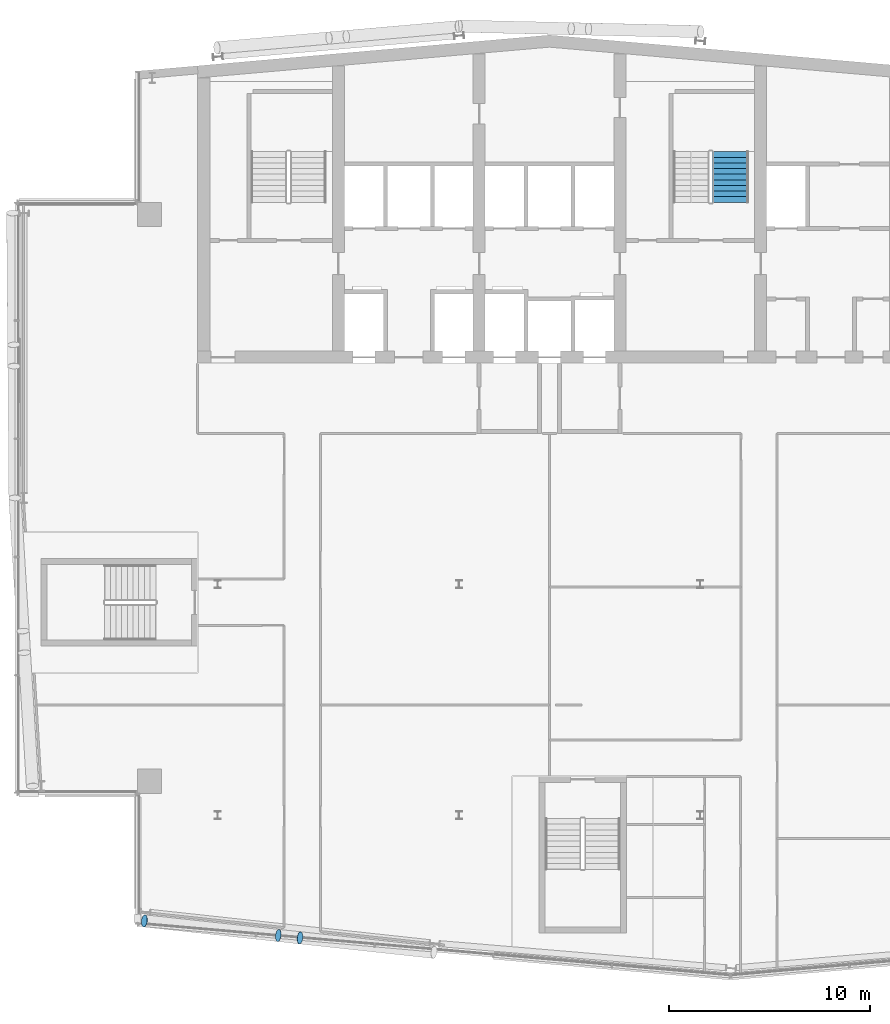
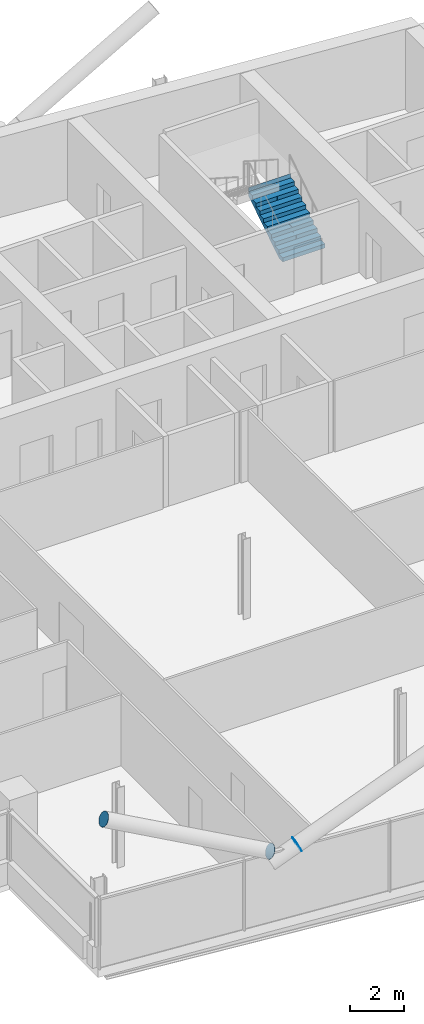
# One storey, part 21 of 28: 3 discrete accessories, 1 stair flight, 1 element without a shape of its own.
"""IFC4 building model written with IfcOpenShell, lengths in metres."""

from ifc_helpers import new_model, si_unit, direction, frame, origin, origin_2d, place, context, subcontext, project, spatial, polyline, circle, outline, extrude, material, material_profile, profile_set, type_object, element, aggregate, save


model = new_model("IFC4")

# Units and contexts
model_context = context("Model", 3, precision=1e-05, world=origin(), true_north=direction((0.0, 1.0)))
body_context = subcontext(model_context, "Body", "Model", "MODEL_VIEW")
ifc_project = project(units=[si_unit("LENGTHUNIT", "METRE"), si_unit("AREAUNIT", "SQUARE_METRE"), si_unit("VOLUMEUNIT", "CUBIC_METRE"), si_unit("PLANEANGLEUNIT", "RADIAN"), si_unit("MASSUNIT", "GRAM", prefix="KILO")], contexts=[model_context])

# Site, building, storey
site_placement = place(None, origin())
site = spatial("IfcSite", under=ifc_project, at=site_placement, CompositionType="ELEMENT")
building_placement = place(site_placement, origin())
building = spatial("IfcBuilding", under=site, at=building_placement, Name="Wharfspan Tower", CompositionType="ELEMENT")
storey_placement = place(building_placement, frame((0.0, 0.0, 253.899902)))
storey = spatial("IfcBuildingStorey", under=building, at=storey_placement, Name="L64", CompositionType="ELEMENT", Elevation=253.899902)

# Stair, stair flight
ifc_material_1 = material(Name="Concrete C40/50", Category="concrete")
stair_type = type_object("IfcStairType", Name="Half-turn stair 20 risers 180 mm", PredefinedType="HALF_TURN_STAIR", material=ifc_material_1)
stair_placement = place(storey_placement, origin())
stair = element("IfcStair", 1, at=stair_placement, inside=storey, type_object=stair_type, Name="L64 stair ST2", PredefinedType="HALF_TURN_STAIR")
stair_flight_type = type_object("IfcStairFlightType", Name="Stair flight 20 risers 180 mm", PredefinedType="STRAIGHT", material=ifc_material_1)
stair_flight_placement = place(storey_placement, frame((49.5, 42.0, 0.0), z_axis=(0.0, 0.0, 1.0), x_axis=(0.0, 1.0, 0.0)))
stair_flight = element("IfcStairFlight", 2, at=stair_flight_placement, type_object=stair_flight_type, Name="ST2 flight 1", NumberOfRisers=10, NumberOfTreads=9, PredefinedType="STRAIGHT", RiserHeight=0.18, TreadLength=0.28, context=body_context, shape_type="SweptSolid", body=[
    extrude(outline(polyline([(-0.011963, 0.0), (-0.011963, 0.179932), (0.0, 0.179932), (0.280029, 0.179932), (0.280029, 0.360107), (0.560059, 0.360107), (0.560059, 0.540039), (0.840088, 0.540039), (0.840088, 0.719971), (1.120117, 0.719971), (1.120117, 0.899902), (1.399902, 0.899902), (1.399902, 1.080078), (1.679932, 1.080078), (1.679932, 1.26001), (1.959961, 1.26001), (1.959961, 1.439941), (2.23999, 1.439941), (2.23999, 1.620117), (2.52002, 1.620117), (2.531982, 1.800049), (2.531982, 1.441895), (0.2771, 0.0), (-0.011963, 0.0)])), frame((0.0, 0.899902, 0.0), z_axis=(0.0, -1.0, 0.0), x_axis=(1.0, 0.0, 0.0)), (0.0, 0.0, 1.0), 0.899414),
    extrude(outline(polyline([(-0.011963, 0.0), (-0.011963, 0.179932), (0.0, 0.179932), (0.280029, 0.179932), (0.280029, 0.360107), (0.560059, 0.360107), (0.560059, 0.540039), (0.840088, 0.540039), (0.840088, 0.719971), (1.120117, 0.719971), (1.120117, 0.899902), (1.399902, 0.899902), (1.399902, 1.080078), (1.679932, 1.080078), (1.679932, 1.26001), (1.959961, 1.26001), (1.959961, 1.439941), (2.23999, 1.439941), (2.23999, 1.620117), (2.52002, 1.620117), (2.531982, 1.800049), (2.531982, 1.441895), (0.2771, 0.0), (-0.011963, 0.0)])), frame((0.0, -0.000488, 0.0), z_axis=(0.0, -1.0, 0.0), x_axis=(1.0, 0.0, 0.0)), (0.0, 0.0, 1.0), 0.899414),
])
aggregate(stair, [stair_flight])

# Discrete accessories
ifc_material_2 = material(Name="Steel S460NH", Category="steel")
ifc_material_profile = material_profile(ifc_material_2, circle(Radius=0.304932, at=origin_2d()))
ifc_profile_set = profile_set([ifc_material_profile], Name="Steel S460NH")
discrete_accessory_type = type_object("IfcDiscreteAccessoryType", Name="End plate CHS 610x25", PredefinedType="BRACKET", material=ifc_profile_set)
discrete_accessory_placement = place(storey_placement, frame((28.080078, 5.411865, 3.166748), z_axis=(0.890043, -0.098894, 0.445021), x_axis=(0.110431, 0.99388, 1e-06)))
element("IfcDiscreteAccessory", 3, at=discrete_accessory_placement, inside=storey, type_object=discrete_accessory_type, Name="End plate CHS 610x25", PredefinedType="BRACKET", context=body_context, shape_type="SweptSolid", body=[
    extrude(circle(Radius=0.304932, at=origin_2d()), origin(), (0.0, 0.0, 1.0), 0.009766),
])
for number, where, z_axis, x_axis, name in (
    (4, (27.014404, 5.527344, 3.166748), (-0.895016, 0.096758, 0.435413), (-0.107482, -0.994209, -1e-06), "End plate CHS 610x25"),
    (5, (20.352539, 6.249268, 6.5), (-0.880146, 0.097794, 0.464521), (-0.110432, -0.993888, 0.0), "End plate CHS 610x25"),
):
    element("IfcDiscreteAccessory", number, at=place(storey_placement, frame(where, z_axis=z_axis, x_axis=x_axis)), inside=storey, type_object=discrete_accessory_type, Name=name, PredefinedType="BRACKET", context=body_context, shape_type="SweptSolid", body=[
        extrude(circle(Radius=0.304932, at=origin_2d()), origin(), (0.0, 0.0, 1.0), 0.01001),
    ])

save(model, "model.ifc")
